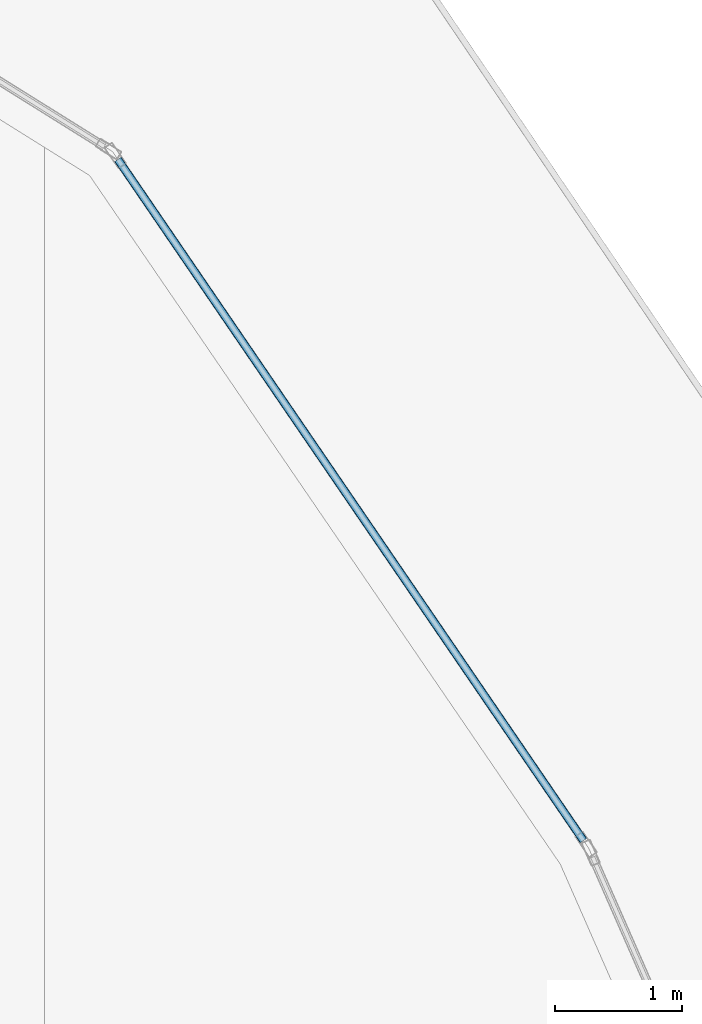
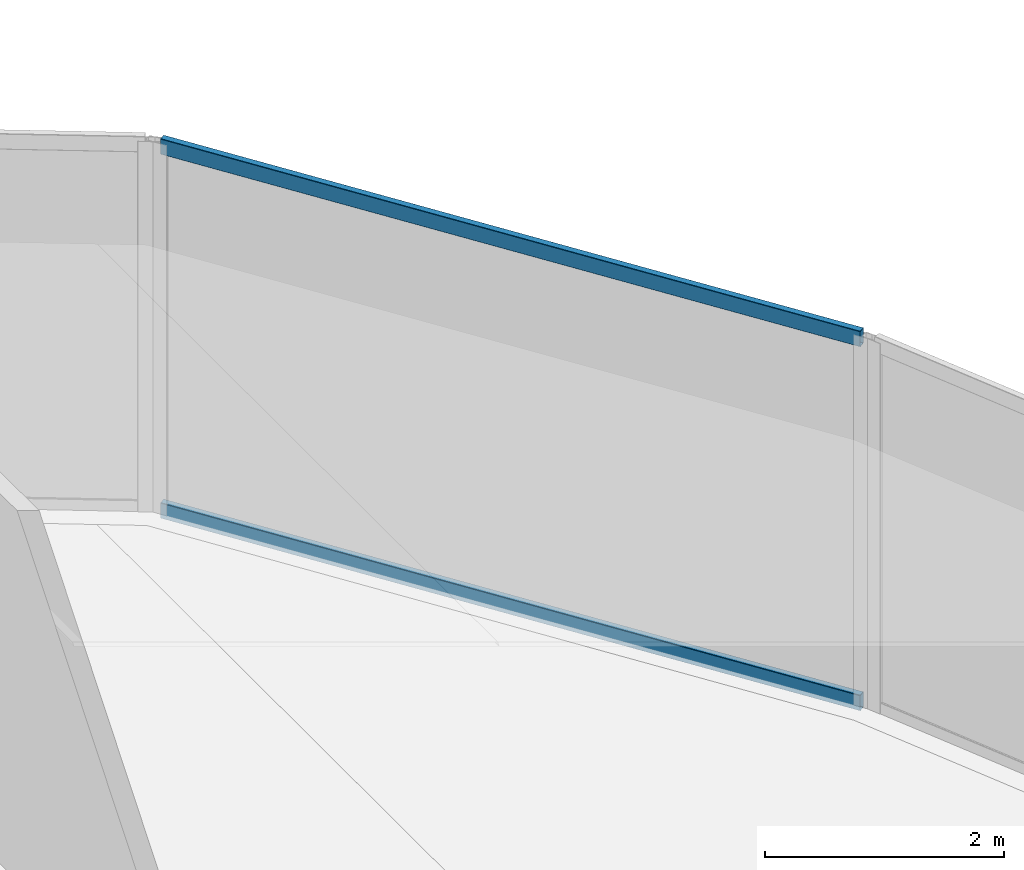
# One storey, part 21 of 39: 2 members, 1 element without a shape of its own.
"""IFC4 building model written with IfcOpenShell, lengths in metres."""

from ifc_helpers import new_model, si_unit, direction, frame, origin, origin_2d, place, context, subcontext, project, spatial, hollow_rectangle, extrude, material, layer, layer_set, material_profile, profile_set, type_object, element, aggregate, save


model = new_model("IFC4")

# Units and contexts
model_context = context("Model", 3, precision=1e-05, world=origin(), true_north=direction((0.0, 1.0)))
body_context = subcontext(model_context, "Body", "Model", "MODEL_VIEW")
ifc_project = project(units=[si_unit("LENGTHUNIT", "METRE"), si_unit("AREAUNIT", "SQUARE_METRE"), si_unit("VOLUMEUNIT", "CUBIC_METRE"), si_unit("PLANEANGLEUNIT", "RADIAN"), si_unit("MASSUNIT", "GRAM", prefix="KILO")], contexts=[model_context])

# Site, building, storey
site_placement = place(None, origin())
site = spatial("IfcSite", under=ifc_project, at=site_placement, CompositionType="ELEMENT")
building_placement = place(site_placement, origin())
building = spatial("IfcBuilding", under=site, at=building_placement, Name="Qorvath Tower", CompositionType="ELEMENT")
storey_placement = place(building_placement, frame((0.0, 0.0, 154.35009765625)))
storey = spatial("IfcBuildingStorey", under=building, at=storey_placement, Name="L35", CompositionType="ELEMENT", Elevation=154.35009765625)

# Curtain wall, members
ifc_material_1 = material(Name="Anodised aluminium and triple low-E glass", Category="aluminium")
ifc_layer = layer(ifc_material_1, 0.179931640625)
ifc_layer_set = layer_set([ifc_layer], Name="CW-SYS-5")
curtain_wall_type = type_object("IfcCurtainWallType", Name="CW-SYS-5", PredefinedType="NOTDEFINED", material=ifc_layer_set)
curtain_wall_placement = place(storey_placement, origin())
curtain_wall = element("IfcCurtainWall", 1, at=curtain_wall_placement, inside=storey, type_object=curtain_wall_type, Name="Curtain Wall CW-5 CW-T-L35-13.1", PredefinedType="NOTDEFINED")
ifc_material_2 = material(Name="Anodised aluminium 6063-T6", Category="aluminium")
ifc_material_profile = material_profile(ifc_material_2, hollow_rectangle(XDim=0.06494140625, YDim=0.159912109375, WallThickness=0.00341796875, InnerFilletRadius=0.00341796875, OuterFilletRadius=0.007080078125, at=origin_2d()), Name="CWT 160x65")
ifc_profile_set = profile_set([ifc_material_profile], Name="Anodised aluminium 6063-T6")
member_type = type_object("IfcMemberType", Name="CWT-160", PredefinedType="USERDEFINED", material=ifc_profile_set)
member_1_placement = place(storey_placement, frame((-0.67041015625, 17.39990234375, 0.032470703125), z_axis=(-0.564303384212, 0.82556749607, 0.0), x_axis=(-0.82556749607, -0.564303384212, 0.0)))
member_1 = element("IfcMember", 2, at=member_1_placement, type_object=member_type, Name="CW-5 transom 1.1", ObjectType="TRANSOM", PredefinedType="USERDEFINED", context=body_context, shape_type="SweptSolid", body=[
    extrude(hollow_rectangle(XDim=0.06494140625, YDim=0.159912109375, WallThickness=0.00341796875, InnerFilletRadius=0.00341796875, OuterFilletRadius=0.007080078125, at=origin_2d()), origin(), (0.0, 0.0, 1.0), 6.487060546875),
])
member_2_placement = place(storey_placement, frame((-0.67041015625, 17.39990234375, 3.747314453125), z_axis=(-0.564303384212, 0.82556749607, 0.0), x_axis=(-0.82556749607, -0.564303384212, 0.0)))
member_2 = element("IfcMember", 3, at=member_2_placement, type_object=member_type, Name="CW-5 transom 1.2", ObjectType="TRANSOM", PredefinedType="USERDEFINED", context=body_context, shape_type="SweptSolid", body=[
    extrude(hollow_rectangle(XDim=0.06494140625, YDim=0.159912109375, WallThickness=0.00341796875, InnerFilletRadius=0.00341796875, OuterFilletRadius=0.007080078125, at=origin_2d()), origin(), (0.0, 0.0, 1.0), 6.487060546875),
])
aggregate(curtain_wall, [member_1, member_2])

save(model, "model.ifc")
